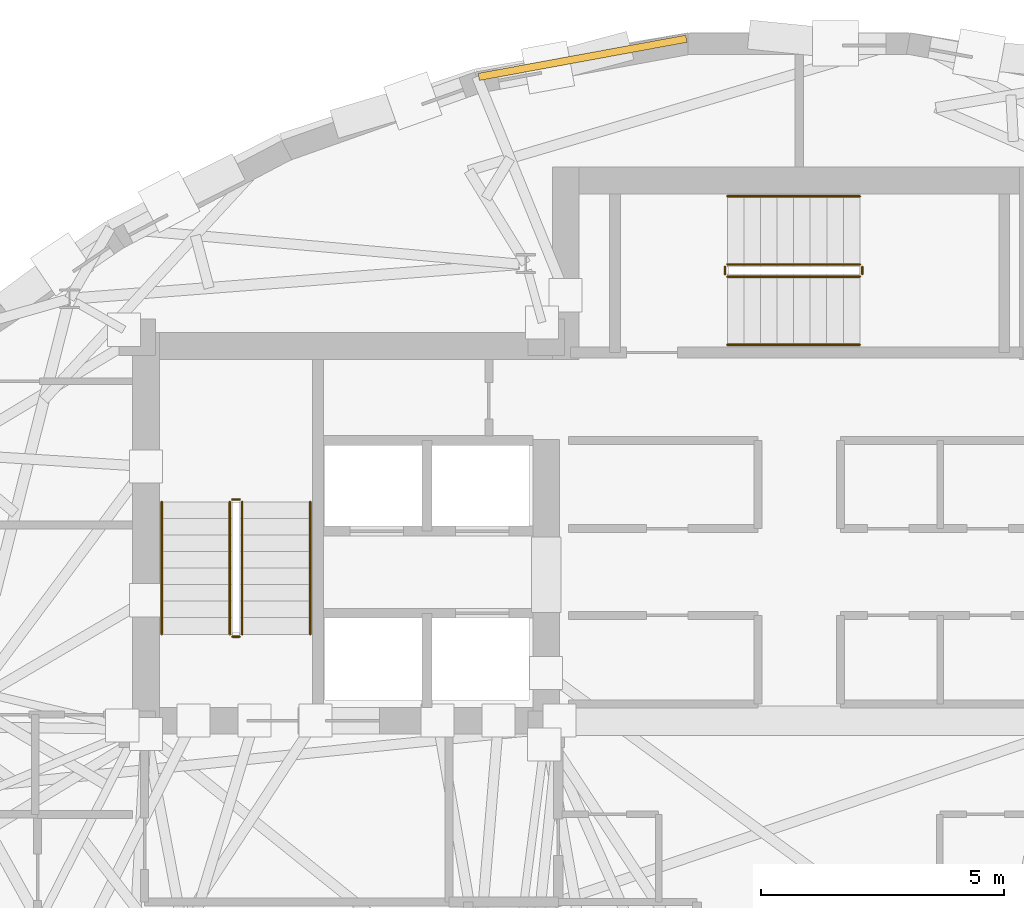
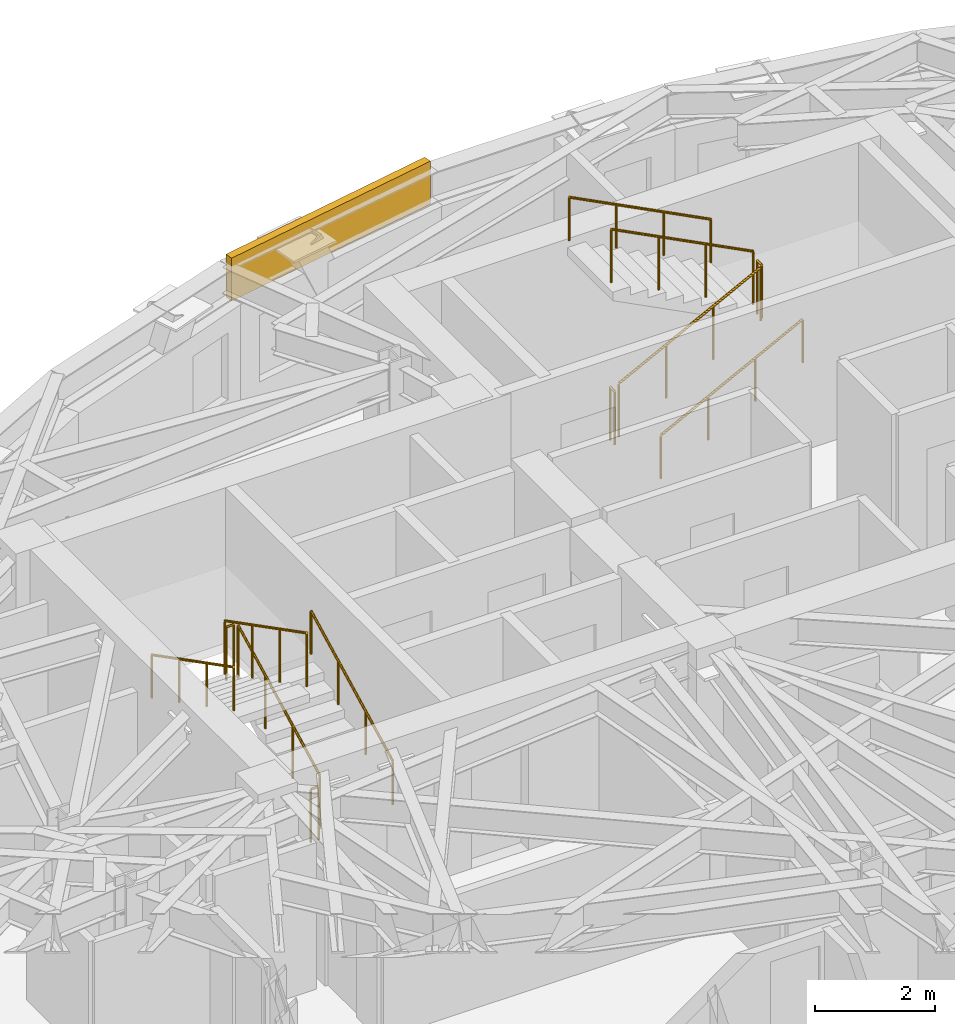
# One storey, part 12 of 13: 12 railings, 1 covering.
"""IFC4 building model written with IfcOpenShell, lengths in metres."""

from ifc_helpers import new_model, si_unit, direction, frame, origin, origin_2d, place, context, subcontext, project, spatial, rectangle, circle, extrude, material, layer, layer_set, type_object, element, save


model = new_model("IFC4")

# Units and contexts
model_context = context("Model", 3, precision=1e-05, world=origin(), true_north=direction((0.0, 1.0)))
body_context = subcontext(model_context, "Body", "Model", "MODEL_VIEW")
ifc_project = project(units=[si_unit("LENGTHUNIT", "METRE"), si_unit("AREAUNIT", "SQUARE_METRE"), si_unit("VOLUMEUNIT", "CUBIC_METRE"), si_unit("PLANEANGLEUNIT", "RADIAN"), si_unit("MASSUNIT", "GRAM", prefix="KILO")], contexts=[model_context])

# Site, building, storey
site_placement = place(None, origin())
site = spatial("IfcSite", under=ifc_project, at=site_placement, CompositionType="ELEMENT")
building_placement = place(site_placement, origin())
building = spatial("IfcBuilding", under=site, at=building_placement, Name="Keldmark Tower", CompositionType="ELEMENT")
storey_placement = place(building_placement, frame((0.0, 0.0, 219.449951171875)))
storey = spatial("IfcBuildingStorey", under=building, at=storey_placement, Name="L61", CompositionType="ELEMENT", Elevation=219.449951171875)

# Covering
ifc_material_1 = material(Name="Honed Kasota Buff Dolomitic Limestone", Category="masonry")
ifc_layer = layer(ifc_material_1, 0.074951171875)
ifc_layer_set = layer_set([ifc_layer], Name="Honed Kasota Buff Dolomitic Limestone")
covering_type = type_object("IfcCoveringType", Name="Kasota Buff Limestone Spandrel Cladding Band", PredefinedType="CLADDING", material=ifc_layer_set)
covering_placement = place(storey_placement, frame((-4.452880859375, 15.195556640625, 2.260009765625), z_axis=(0.0, 0.0, 1.0), x_axis=(-0.983511554319, -0.18084529997, 0.0)))
element("IfcCovering", 1, at=covering_placement, inside=storey, type_object=covering_type, Name="L61 Kasota Limestone Spandrel Band 09", PredefinedType="CLADDING", context=body_context, shape_type="SweptSolid", body=[
    extrude(rectangle(XDim=4.337158203125, YDim=0.14990234375, at=origin_2d()), origin(), (0.0, 0.0, 1.0), 0.8701171875),
])

# Railings
ifc_material_2 = material(Name="Painted Steel ASTM A500 Grade B", Category="steel")
railing_type_1 = type_object("IfcRailingType", Name="Painted Steel Stair Well Guard 1100 mm", PredefinedType="GUARDRAIL", material=ifc_material_2)
railing_1_placement = place(storey_placement, frame((-11.449951171875, 3.35009765625, 0.175048828125)))
element("IfcRailing", 2, at=railing_1_placement, inside=storey, type_object=railing_type_1, Name="L61 ST1 stair guard 1", PredefinedType="GUARDRAIL", context=body_context, shape_type="SweptSolid", body=[
    extrude(circle(Radius=0.02392578125, at=origin_2d()), frame((0.0, 0.0, 1.076171875), z_axis=(0.0, 0.889146794209, 0.457622091194), x_axis=(-1.0, 0.0, 0.0)), (0.0, 0.0, 1.0), 3.05908203125),
    extrude(circle(Radius=0.02099609375, at=origin_2d()), origin(), (0.0, 0.0, 1.0), 1.052001953125),
    extrude(circle(Radius=0.02099609375, at=origin_2d()), frame((0.0, 0.90673828125, 0.466552734375)), (0.0, 0.0, 1.0), 1.052001953125),
    extrude(circle(Radius=0.02099609375, at=origin_2d()), frame((0.0, 1.813232421875, 0.933349609375)), (0.0, 0.0, 1.0), 1.052001953125),
    extrude(circle(Radius=0.02099609375, at=origin_2d()), frame((0.0, 2.719970703125, 1.39990234375)), (0.0, 0.0, 1.0), 1.052001953125),
])
railing_2_placement = place(storey_placement, frame((-11.5, 6.1201171875, 1.574951171875)))
element("IfcRailing", 3, at=railing_2_placement, inside=storey, type_object=railing_type_1, Name="L61 ST1 stair guard 2", PredefinedType="GUARDRAIL", context=body_context, shape_type="SweptSolid", body=[
    extrude(circle(Radius=0.02392578125, at=origin_2d()), frame((0.0, 0.0, 1.076171875), z_axis=(-1.0, 0.0, 0.0), x_axis=(0.0, -1.0, 0.0)), (0.0, 0.0, 1.0), 0.14990234375),
    extrude(circle(Radius=0.02099609375, at=origin_2d()), origin(), (0.0, 0.0, 1.0), 1.052001953125),
    extrude(circle(Radius=0.02099609375, at=origin_2d()), frame((-0.14990234375, 0.0, 0.0)), (0.0, 0.0, 1.0), 1.052001953125),
])
railing_3_placement = place(storey_placement, frame((-11.699951171875, 6.070068359375, 1.75)))
element("IfcRailing", 4, at=railing_3_placement, inside=storey, type_object=railing_type_1, Name="L61 ST1 stair guard 3", PredefinedType="GUARDRAIL", context=body_context, shape_type="SweptSolid", body=[
    extrude(circle(Radius=0.02392578125, at=origin_2d()), frame((0.0, 0.0, 1.076171875), z_axis=(0.0, -0.889114319608, 0.457685182924), x_axis=(1.0, 0.0, 0.0)), (0.0, 0.0, 1.0), 3.05908203125),
    extrude(circle(Radius=0.02099609375, at=origin_2d()), origin(), (0.0, 0.0, 1.0), 1.052001953125),
    extrude(circle(Radius=0.02099609375, at=origin_2d()), frame((0.0, -0.90673828125, 0.466796875)), (0.0, 0.0, 1.0), 1.052001953125),
    extrude(circle(Radius=0.02099609375, at=origin_2d()), frame((0.0, -1.813232421875, 0.933349609375)), (0.0, 0.0, 1.0), 1.052001953125),
    extrude(circle(Radius=0.02099609375, at=origin_2d()), frame((0.0, -2.719970703125, 1.400146484375)), (0.0, 0.0, 1.0), 1.052001953125),
])
railing_4_placement = place(storey_placement, frame((-11.5, 3.300048828125, 0.0)))
element("IfcRailing", 5, at=railing_4_placement, inside=storey, type_object=railing_type_1, Name="L61 ST1 stair guard 4", PredefinedType="GUARDRAIL", context=body_context, shape_type="SweptSolid", body=[
    extrude(circle(Radius=0.02392578125, at=origin_2d()), frame((0.0, 0.0, 1.076171875), z_axis=(-1.0, 0.0, 0.0), x_axis=(0.0, -1.0, 0.0)), (0.0, 0.0, 1.0), 0.14990234375),
    extrude(circle(Radius=0.02099609375, at=origin_2d()), origin(), (0.0, 0.0, 1.0), 1.052001953125),
    extrude(circle(Radius=0.02099609375, at=origin_2d()), frame((-0.14990234375, 0.0, 0.0)), (0.0, 0.0, 1.0), 1.052001953125),
])
railing_5_placement = place(storey_placement, frame((-1.47509765625, 10.699951171875, 0.175048828125)))
element("IfcRailing", 6, at=railing_5_placement, inside=storey, type_object=railing_type_1, Name="L61 ST3 stair guard 1", PredefinedType="GUARDRAIL", context=body_context, shape_type="SweptSolid", body=[
    extrude(circle(Radius=0.02392578125, at=origin_2d()), frame((0.0, 0.0, 1.076171875), z_axis=(0.88916350577, 0.0, 0.457589619645), x_axis=(0.0, 1.0, 0.0)), (0.0, 0.0, 1.0), 3.059326171875),
    extrude(circle(Radius=0.02099609375, at=origin_2d()), origin(), (0.0, 0.0, 1.0), 1.052001953125),
    extrude(circle(Radius=0.02099609375, at=origin_2d()), frame((0.90673828125, 0.0, 0.466552734375)), (0.0, 0.0, 1.0), 1.052001953125),
    extrude(circle(Radius=0.02099609375, at=origin_2d()), frame((1.8134765625, 0.0, 0.933349609375)), (0.0, 0.0, 1.0), 1.052001953125),
    extrude(circle(Radius=0.02099609375, at=origin_2d()), frame((2.72021484375, 0.0, 1.39990234375)), (0.0, 0.0, 1.0), 1.052001953125),
])
railing_6_placement = place(storey_placement, frame((1.294921875, 10.75, 1.574951171875)))
element("IfcRailing", 7, at=railing_6_placement, inside=storey, type_object=railing_type_1, Name="L61 ST3 stair guard 2", PredefinedType="GUARDRAIL", context=body_context, shape_type="SweptSolid", body=[
    extrude(circle(Radius=0.02392578125, at=origin_2d()), frame((0.0, 0.0, 1.076171875), z_axis=(0.0, 1.0, 0.0), x_axis=(-1.0, 0.0, 0.0)), (0.0, 0.0, 1.0), 0.14990234375),
    extrude(circle(Radius=0.02099609375, at=origin_2d()), origin(), (0.0, 0.0, 1.0), 1.052001953125),
    extrude(circle(Radius=0.02099609375, at=origin_2d()), frame((0.0, 0.14990234375, 0.0)), (0.0, 0.0, 1.0), 1.052001953125),
])
railing_7_placement = place(storey_placement, frame((1.2451171875, 10.949951171875, 1.75)))
element("IfcRailing", 8, at=railing_7_placement, inside=storey, type_object=railing_type_1, Name="L61 ST3 stair guard 3", PredefinedType="GUARDRAIL", context=body_context, shape_type="SweptSolid", body=[
    extrude(circle(Radius=0.02392578125, at=origin_2d()), frame((0.0, 0.0, 1.076171875), z_axis=(-0.889131035167, 0.0, 0.45765270927), x_axis=(0.0, -1.0, 0.0)), (0.0, 0.0, 1.0), 3.059326171875),
    extrude(circle(Radius=0.02099609375, at=origin_2d()), origin(), (0.0, 0.0, 1.0), 1.052001953125),
    extrude(circle(Radius=0.02099609375, at=origin_2d()), frame((-0.90673828125, 0.0, 0.466796875)), (0.0, 0.0, 1.0), 1.052001953125),
    extrude(circle(Radius=0.02099609375, at=origin_2d()), frame((-1.8134765625, 0.0, 0.933349609375)), (0.0, 0.0, 1.0), 1.052001953125),
    extrude(circle(Radius=0.02099609375, at=origin_2d()), frame((-2.72021484375, 0.0, 1.400146484375)), (0.0, 0.0, 1.0), 1.052001953125),
])
railing_8_placement = place(storey_placement, frame((-1.52490234375, 10.75, 0.0)))
element("IfcRailing", 9, at=railing_8_placement, inside=storey, type_object=railing_type_1, Name="L61 ST3 stair guard 4", PredefinedType="GUARDRAIL", context=body_context, shape_type="SweptSolid", body=[
    extrude(circle(Radius=0.02392578125, at=origin_2d()), frame((0.0, 0.0, 1.076171875), z_axis=(0.0, 1.0, 0.0), x_axis=(-1.0, 0.0, 0.0)), (0.0, 0.0, 1.0), 0.14990234375),
    extrude(circle(Radius=0.02099609375, at=origin_2d()), origin(), (0.0, 0.0, 1.0), 1.052001953125),
    extrude(circle(Radius=0.02099609375, at=origin_2d()), frame((0.0, 0.14990234375, 0.0)), (0.0, 0.0, 1.0), 1.052001953125),
])
ifc_material_3 = material(Name="Stainless Steel AISI 316L", Category="steel")
railing_type_2 = type_object("IfcRailingType", Name="Stainless Steel Stair Handrail 900 mm", PredefinedType="HANDRAIL", material=ifc_material_3)
railing_9_placement = place(storey_placement, frame((-10.050048828125, 3.35009765625, 0.175048828125)))
element("IfcRailing", 10, at=railing_9_placement, inside=storey, type_object=railing_type_2, Name="L61 ST1 stair handrail 1", PredefinedType="HANDRAIL", context=body_context, shape_type="SweptSolid", body=[
    extrude(circle(Radius=0.02392578125, at=origin_2d()), frame((0.0, 0.0, 0.8759765625), z_axis=(0.0, 0.889146794209, 0.457622091194), x_axis=(-1.0, 0.0, 0.0)), (0.0, 0.0, 1.0), 3.05908203125),
    extrude(circle(Radius=0.02099609375, at=origin_2d()), origin(), (0.0, 0.0, 1.0), 0.851806640625),
    extrude(circle(Radius=0.02099609375, at=origin_2d()), frame((0.0, 0.90673828125, 0.466552734375)), (0.0, 0.0, 1.0), 0.851806640625),
    extrude(circle(Radius=0.02099609375, at=origin_2d()), frame((0.0, 1.813232421875, 0.933349609375)), (0.0, 0.0, 1.0), 0.851806640625),
    extrude(circle(Radius=0.02099609375, at=origin_2d()), frame((0.0, 2.719970703125, 1.39990234375)), (0.0, 0.0, 1.0), 0.851806640625),
])
railing_10_placement = place(storey_placement, frame((-13.10009765625, 6.070068359375, 1.75)))
element("IfcRailing", 11, at=railing_10_placement, inside=storey, type_object=railing_type_2, Name="L61 ST1 stair handrail 2", PredefinedType="HANDRAIL", context=body_context, shape_type="SweptSolid", body=[
    extrude(circle(Radius=0.02392578125, at=origin_2d()), frame((0.0, 0.0, 0.8759765625), z_axis=(0.0, -0.889114319608, 0.457685182924), x_axis=(1.0, 0.0, 0.0)), (0.0, 0.0, 1.0), 3.05908203125),
    extrude(circle(Radius=0.02099609375, at=origin_2d()), origin(), (0.0, 0.0, 1.0), 0.851806640625),
    extrude(circle(Radius=0.02099609375, at=origin_2d()), frame((0.0, -0.90673828125, 0.466796875)), (0.0, 0.0, 1.0), 0.851806640625),
    extrude(circle(Radius=0.02099609375, at=origin_2d()), frame((0.0, -1.813232421875, 0.933349609375)), (0.0, 0.0, 1.0), 0.851806640625),
    extrude(circle(Radius=0.02099609375, at=origin_2d()), frame((0.0, -2.719970703125, 1.400146484375)), (0.0, 0.0, 1.0), 0.851806640625),
])
railing_11_placement = place(storey_placement, frame((-1.47509765625, 9.300048828125, 0.175048828125)))
element("IfcRailing", 12, at=railing_11_placement, inside=storey, type_object=railing_type_2, Name="L61 ST3 stair handrail 1", PredefinedType="HANDRAIL", context=body_context, shape_type="SweptSolid", body=[
    extrude(circle(Radius=0.02392578125, at=origin_2d()), frame((0.0, 0.0, 0.8759765625), z_axis=(0.88916350577, 0.0, 0.457589619645), x_axis=(0.0, 1.0, 0.0)), (0.0, 0.0, 1.0), 3.059326171875),
    extrude(circle(Radius=0.02099609375, at=origin_2d()), origin(), (0.0, 0.0, 1.0), 0.851806640625),
    extrude(circle(Radius=0.02099609375, at=origin_2d()), frame((0.90673828125, 0.0, 0.466552734375)), (0.0, 0.0, 1.0), 0.851806640625),
    extrude(circle(Radius=0.02099609375, at=origin_2d()), frame((1.8134765625, 0.0, 0.933349609375)), (0.0, 0.0, 1.0), 0.851806640625),
    extrude(circle(Radius=0.02099609375, at=origin_2d()), frame((2.72021484375, 0.0, 1.39990234375)), (0.0, 0.0, 1.0), 0.851806640625),
])
railing_12_placement = place(storey_placement, frame((1.2451171875, 12.35009765625, 1.75)))
element("IfcRailing", 13, at=railing_12_placement, inside=storey, type_object=railing_type_2, Name="L61 ST3 stair handrail 2", PredefinedType="HANDRAIL", context=body_context, shape_type="SweptSolid", body=[
    extrude(circle(Radius=0.02392578125, at=origin_2d()), frame((0.0, 0.0, 0.8759765625), z_axis=(-0.889131035167, 0.0, 0.45765270927), x_axis=(0.0, -1.0, 0.0)), (0.0, 0.0, 1.0), 3.059326171875),
    extrude(circle(Radius=0.02099609375, at=origin_2d()), origin(), (0.0, 0.0, 1.0), 0.851806640625),
    extrude(circle(Radius=0.02099609375, at=origin_2d()), frame((-0.90673828125, 0.0, 0.466796875)), (0.0, 0.0, 1.0), 0.851806640625),
    extrude(circle(Radius=0.02099609375, at=origin_2d()), frame((-1.8134765625, 0.0, 0.933349609375)), (0.0, 0.0, 1.0), 0.851806640625),
    extrude(circle(Radius=0.02099609375, at=origin_2d()), frame((-2.72021484375, 0.0, 1.400146484375)), (0.0, 0.0, 1.0), 0.851806640625),
])

save(model, "model.ifc")
